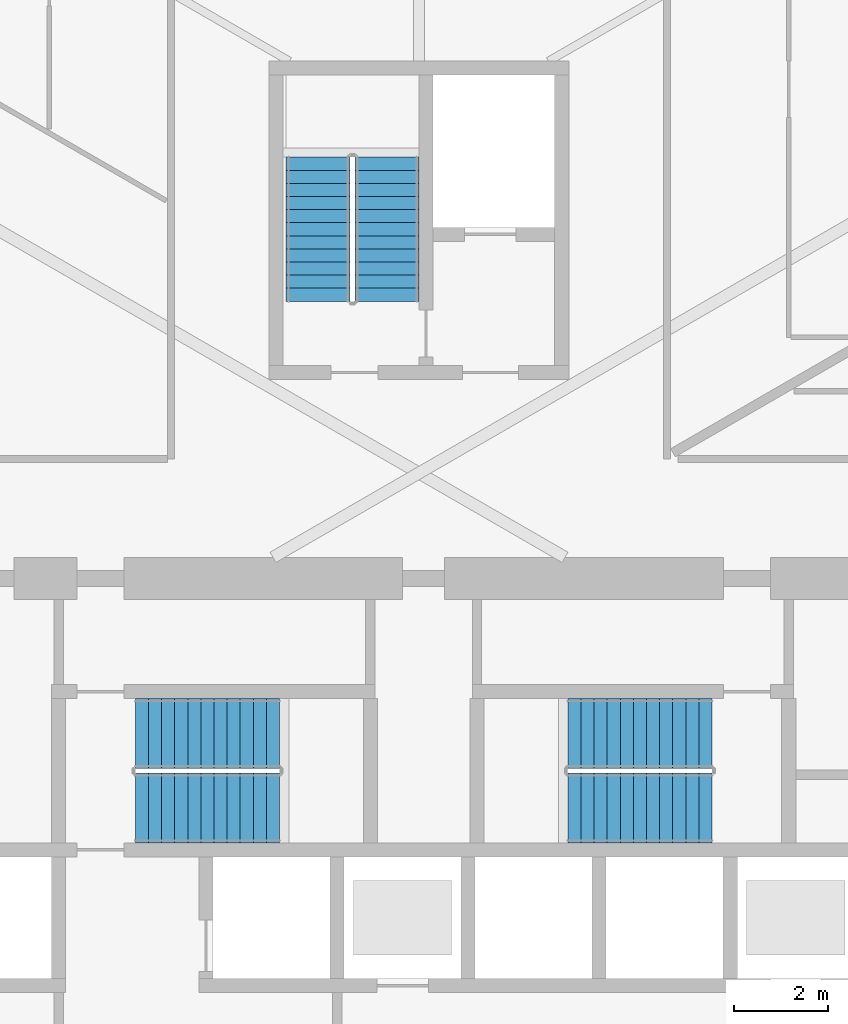
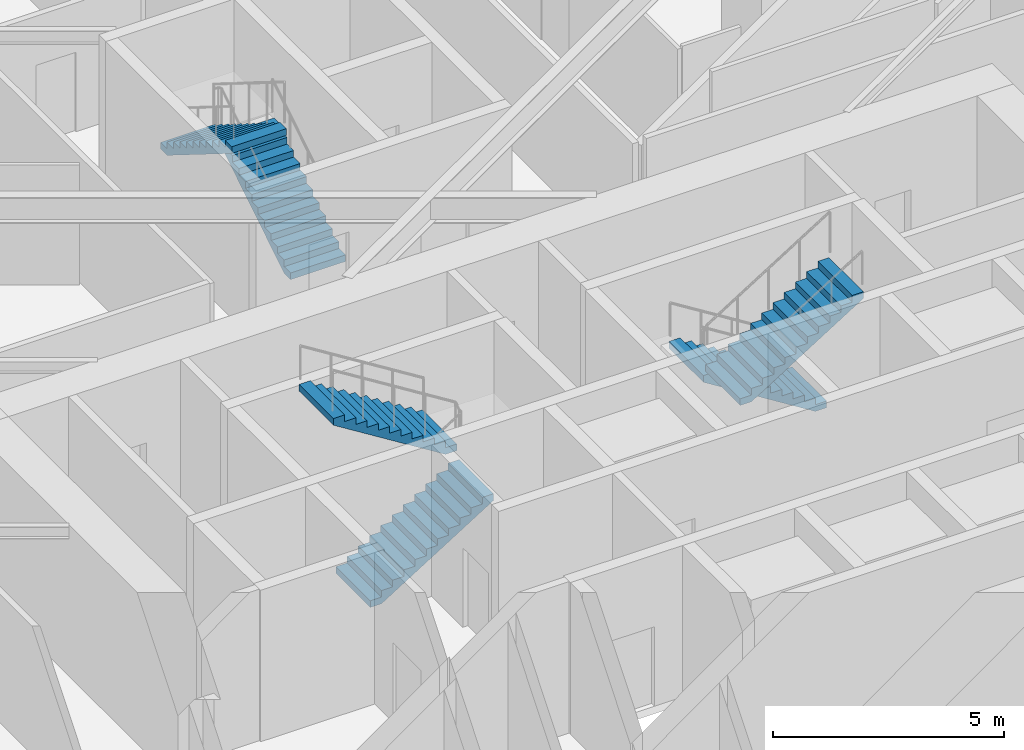
# One storey, part 20 of 22: 6 stair flights, 3 elements without a shape of their own.
"""IFC4 building model written with IfcOpenShell, lengths in metres."""

from ifc_helpers import new_model, si_unit, direction, frame, origin, place, context, subcontext, project, spatial, polyline, outline, extrude, material, type_object, element, aggregate, save


model = new_model("IFC4")

# Units and contexts
model_context = context("Model", 3, precision=1e-05, world=origin(), true_north=direction((0.0, 1.0)))
body_context = subcontext(model_context, "Body", "Model", "MODEL_VIEW")
ifc_project = project(units=[si_unit("LENGTHUNIT", "METRE"), si_unit("AREAUNIT", "SQUARE_METRE"), si_unit("VOLUMEUNIT", "CUBIC_METRE"), si_unit("PLANEANGLEUNIT", "RADIAN"), si_unit("MASSUNIT", "GRAM", prefix="KILO")], contexts=[model_context])

# Site, building, storey
site_placement = place(None, origin())
site = spatial("IfcSite", under=ifc_project, at=site_placement, CompositionType="ELEMENT")
building_placement = place(site_placement, origin())
building = spatial("IfcBuilding", under=site, at=building_placement, Name="Firuza Gate Tower and Library", CompositionType="ELEMENT")
storey_placement = place(building_placement, frame((0.0, 0.0, 111.39990234375)))
storey = spatial("IfcBuildingStorey", under=building, at=storey_placement, Name="L25", CompositionType="ELEMENT", Elevation=111.39990234375)

# Stair, stair flights
ifc_material_1 = material(Name="Concrete C35/45", Category="concrete")
stair_type_1 = type_object("IfcStairType", Name="Exit stair ST14", PredefinedType="HALF_TURN_STAIR", material=ifc_material_1)
placement = place(storey_placement, origin())
stair_1 = element("IfcStair", 1, at=placement, inside=storey, type_object=stair_type_1, Name="L25 Stair ST3", PredefinedType="HALF_TURN_STAIR")
ifc_material_2 = material(Name="Concrete C35/45", Category="concrete")
stair_flight_type_1 = type_object("IfcStairFlightType", Name="Stair flight 12 risers 175 width 1370", PredefinedType="STRAIGHT", material=ifc_material_2)
stair_flight_1_placement = place(storey_placement, frame((74.31494140625, 89.469970703125, 0.0), z_axis=(0.0, 0.0, 1.0), x_axis=(0.0, 1.0, 0.0)))
stair_flight_1 = element("IfcStairFlight", 2, at=stair_flight_1_placement, type_object=stair_flight_type_1, Name="ST3 flight 1", NumberOfRisers=12, NumberOfTreads=11, PredefinedType="STRAIGHT", RiserHeight=0.175, TreadLength=0.28, context=body_context, shape_type="SweptSolid", body=[
    extrude(outline(polyline([(0.0, 0.0), (0.0, 0.175048828125), (0.280029296875, 0.175048828125), (0.280029296875, 0.35009765625), (0.56005859375, 0.35009765625), (0.56005859375, 0.52490234375), (0.840087890625, 0.52490234375), (0.840087890625, 0.699951171875), (1.1201171875, 0.699951171875), (1.1201171875, 0.875), (1.39990234375, 0.875), (1.39990234375, 1.050048828125), (1.679931640625, 1.050048828125), (1.679931640625, 1.22509765625), (1.9599609375, 1.22509765625), (1.9599609375, 1.39990234375), (2.239990234375, 1.39990234375), (2.239990234375, 1.574951171875), (2.52001953125, 1.574951171875), (2.52001953125, 1.75), (2.800048828125, 1.75), (2.800048828125, 1.925048828125), (3.080078125, 1.925048828125), (3.080078125, 2.10009765625), (3.080078125, 1.748291015625), (0.28271484375, 0.0), (0.0, 0.0)])), frame((0.0, 0.68505859375, 0.0), z_axis=(0.0, -1.0, 0.0), x_axis=(1.0, 0.0, 0.0)), (0.0, 0.0, 1.0), 1.3701171875),
])
stair_flight_2_placement = place(storey_placement, frame((72.844970703125, 92.550048828125, 2.10009765625), z_axis=(0.0, 0.0, 1.0), x_axis=(0.0, -1.0, 0.0)))
stair_flight_2 = element("IfcStairFlight", 3, at=stair_flight_2_placement, type_object=stair_flight_type_1, Name="ST3 flight 2", NumberOfRisers=12, NumberOfTreads=11, PredefinedType="STRAIGHT", RiserHeight=0.175, TreadLength=0.28, context=body_context, shape_type="SweptSolid", body=[
    extrude(outline(polyline([(0.0, 0.0), (0.0, 0.175048828125), (0.280029296875, 0.175048828125), (0.280029296875, 0.35009765625), (0.56005859375, 0.35009765625), (0.56005859375, 0.52490234375), (0.840087890625, 0.52490234375), (0.840087890625, 0.699951171875), (1.1201171875, 0.699951171875), (1.1201171875, 0.875), (1.39990234375, 0.875), (1.39990234375, 1.050048828125), (1.679931640625, 1.050048828125), (1.679931640625, 1.22509765625), (1.9599609375, 1.22509765625), (1.9599609375, 1.39990234375), (2.239990234375, 1.39990234375), (2.239990234375, 1.574951171875), (2.52001953125, 1.574951171875), (2.52001953125, 1.75), (2.800048828125, 1.75), (2.800048828125, 1.925048828125), (3.080078125, 1.925048828125), (3.080078125, 2.10009765625), (3.080078125, 1.748291015625), (0.28271484375, 0.0), (0.0, 0.0)])), frame((0.0, 0.68505859375, 0.0), z_axis=(0.0, -1.0, 0.0), x_axis=(1.0, 0.0, 0.0)), (0.0, 0.0, 1.0), 1.3701171875),
])
aggregate(stair_1, [stair_flight_1, stair_flight_2])

ifc_material_3 = material(Name="Concrete C35/45", Category="concrete")
stair_type_2 = type_object("IfcStairType", Name="Exit stair ST5", PredefinedType="HALF_TURN_STAIR", material=ifc_material_3)
stair_2 = element("IfcStair", 4, at=placement, inside=storey, type_object=stair_type_2, Name="L25 Stair ST1", PredefinedType="HALF_TURN_STAIR")
ifc_material_4 = material(Name="Concrete C35/45", Category="concrete")
stair_flight_type_2 = type_object("IfcStairFlightType", Name="Stair flight 12 risers 175 width 1490", PredefinedType="STRAIGHT", material=ifc_material_4)
stair_flight_3_placement = place(storey_placement, frame((68.93994140625, 78.64501953125, 0.0), z_axis=(0.0, 0.0, 1.0), x_axis=(1.0, 0.0, 0.0)))
stair_flight_3 = element("IfcStairFlight", 5, at=stair_flight_3_placement, type_object=stair_flight_type_2, Name="ST1 flight 1", NumberOfRisers=12, NumberOfTreads=11, PredefinedType="STRAIGHT", RiserHeight=0.175, TreadLength=0.28, context=body_context, shape_type="SweptSolid", body=[
    extrude(outline(polyline([(0.0, 0.0), (0.0, 0.175048828125), (0.280029296875, 0.175048828125), (0.280029296875, 0.35009765625), (0.56005859375, 0.35009765625), (0.56005859375, 0.52490234375), (0.840087890625, 0.52490234375), (0.840087890625, 0.699951171875), (1.1201171875, 0.699951171875), (1.1201171875, 0.875), (1.39990234375, 0.875), (1.39990234375, 1.050048828125), (1.679931640625, 1.050048828125), (1.679931640625, 1.22509765625), (1.9599609375, 1.22509765625), (1.9599609375, 1.39990234375), (2.239990234375, 1.39990234375), (2.239990234375, 1.574951171875), (2.52001953125, 1.574951171875), (2.52001953125, 1.75), (2.800048828125, 1.75), (2.800048828125, 1.925048828125), (3.080078125, 1.925048828125), (3.080078125, 2.10009765625), (3.080078125, 1.748291015625), (0.28271484375, 0.0), (0.0, 0.0)])), frame((0.0, 0.7451171875, 0.0), z_axis=(0.0, -1.0, 0.0), x_axis=(1.0, 0.0, 0.0)), (0.0, 0.0, 1.0), 1.489990234375),
])
stair_flight_4_placement = place(storey_placement, frame((72.02001953125, 80.235107421875, 2.10009765625), z_axis=(0.0, 0.0, 1.0), x_axis=(-1.0, 0.0, 0.0)))
stair_flight_4 = element("IfcStairFlight", 6, at=stair_flight_4_placement, type_object=stair_flight_type_2, Name="ST1 flight 2", NumberOfRisers=12, NumberOfTreads=11, PredefinedType="STRAIGHT", RiserHeight=0.175, TreadLength=0.28, context=body_context, shape_type="SweptSolid", body=[
    extrude(outline(polyline([(0.0, 0.0), (0.0, 0.175048828125), (0.280029296875, 0.175048828125), (0.280029296875, 0.35009765625), (0.56005859375, 0.35009765625), (0.56005859375, 0.52490234375), (0.840087890625, 0.52490234375), (0.840087890625, 0.699951171875), (1.1201171875, 0.699951171875), (1.1201171875, 0.875), (1.39990234375, 0.875), (1.39990234375, 1.050048828125), (1.679931640625, 1.050048828125), (1.679931640625, 1.22509765625), (1.9599609375, 1.22509765625), (1.9599609375, 1.39990234375), (2.239990234375, 1.39990234375), (2.239990234375, 1.574951171875), (2.52001953125, 1.574951171875), (2.52001953125, 1.75), (2.800048828125, 1.75), (2.800048828125, 1.925048828125), (3.080078125, 1.925048828125), (3.080078125, 2.10009765625), (3.080078125, 1.748291015625), (0.28271484375, 0.0), (0.0, 0.0)])), frame((0.0, 0.7451171875, 0.0), z_axis=(0.0, -1.0, 0.0), x_axis=(1.0, 0.0, 0.0)), (0.0, 0.0, 1.0), 1.489990234375),
])
aggregate(stair_2, [stair_flight_3, stair_flight_4])

stair_3 = element("IfcStair", 7, at=placement, inside=storey, type_object=stair_type_2, Name="L25 Stair ST2", PredefinedType="HALF_TURN_STAIR")
stair_flight_5_placement = place(storey_placement, frame((81.260009765625, 80.235107421875, 0.0), z_axis=(0.0, 0.0, 1.0), x_axis=(-1.0, 0.0, 0.0)))
stair_flight_5 = element("IfcStairFlight", 8, at=stair_flight_5_placement, type_object=stair_flight_type_2, Name="ST2 flight 1", NumberOfRisers=12, NumberOfTreads=11, PredefinedType="STRAIGHT", RiserHeight=0.175, TreadLength=0.28, context=body_context, shape_type="SweptSolid", body=[
    extrude(outline(polyline([(0.0, 0.0), (0.0, 0.175048828125), (0.280029296875, 0.175048828125), (0.280029296875, 0.35009765625), (0.56005859375, 0.35009765625), (0.56005859375, 0.52490234375), (0.840087890625, 0.52490234375), (0.840087890625, 0.699951171875), (1.1201171875, 0.699951171875), (1.1201171875, 0.875), (1.39990234375, 0.875), (1.39990234375, 1.050048828125), (1.679931640625, 1.050048828125), (1.679931640625, 1.22509765625), (1.9599609375, 1.22509765625), (1.9599609375, 1.39990234375), (2.239990234375, 1.39990234375), (2.239990234375, 1.574951171875), (2.52001953125, 1.574951171875), (2.52001953125, 1.75), (2.800048828125, 1.75), (2.800048828125, 1.925048828125), (3.080078125, 1.925048828125), (3.080078125, 2.10009765625), (3.080078125, 1.748291015625), (0.28271484375, 0.0), (0.0, 0.0)])), frame((0.0, 0.7451171875, 0.0), z_axis=(0.0, -1.0, 0.0), x_axis=(1.0, 0.0, 0.0)), (0.0, 0.0, 1.0), 1.489990234375),
])
stair_flight_6_placement = place(storey_placement, frame((78.179931640625, 78.64501953125, 2.10009765625), z_axis=(0.0, 0.0, 1.0), x_axis=(1.0, 0.0, 0.0)))
stair_flight_6 = element("IfcStairFlight", 9, at=stair_flight_6_placement, type_object=stair_flight_type_2, Name="ST2 flight 2", NumberOfRisers=12, NumberOfTreads=11, PredefinedType="STRAIGHT", RiserHeight=0.175, TreadLength=0.28, context=body_context, shape_type="SweptSolid", body=[
    extrude(outline(polyline([(0.0, 0.0), (0.0, 0.175048828125), (0.280029296875, 0.175048828125), (0.280029296875, 0.35009765625), (0.56005859375, 0.35009765625), (0.56005859375, 0.52490234375), (0.840087890625, 0.52490234375), (0.840087890625, 0.699951171875), (1.1201171875, 0.699951171875), (1.1201171875, 0.875), (1.39990234375, 0.875), (1.39990234375, 1.050048828125), (1.679931640625, 1.050048828125), (1.679931640625, 1.22509765625), (1.9599609375, 1.22509765625), (1.9599609375, 1.39990234375), (2.239990234375, 1.39990234375), (2.239990234375, 1.574951171875), (2.52001953125, 1.574951171875), (2.52001953125, 1.75), (2.800048828125, 1.75), (2.800048828125, 1.925048828125), (3.080078125, 1.925048828125), (3.080078125, 2.10009765625), (3.080078125, 1.748291015625), (0.28271484375, 0.0), (0.0, 0.0)])), frame((0.0, 0.7451171875, 0.0), z_axis=(0.0, -1.0, 0.0), x_axis=(1.0, 0.0, 0.0)), (0.0, 0.0, 1.0), 1.489990234375),
])
aggregate(stair_3, [stair_flight_5, stair_flight_6])

save(model, "model.ifc")
